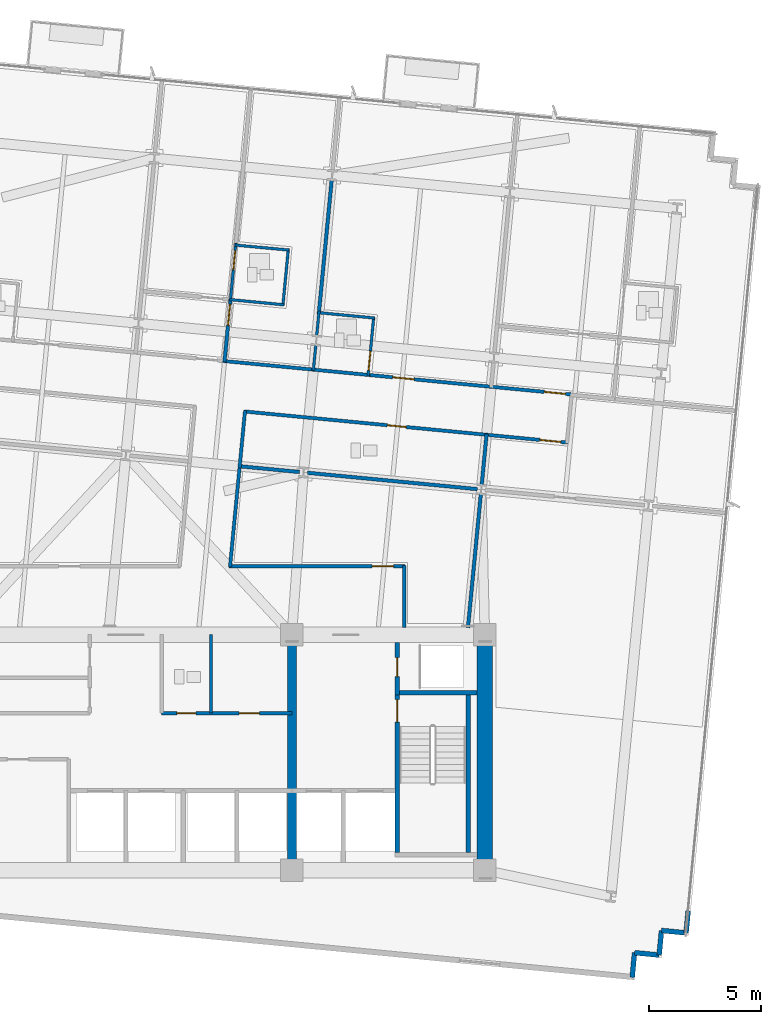
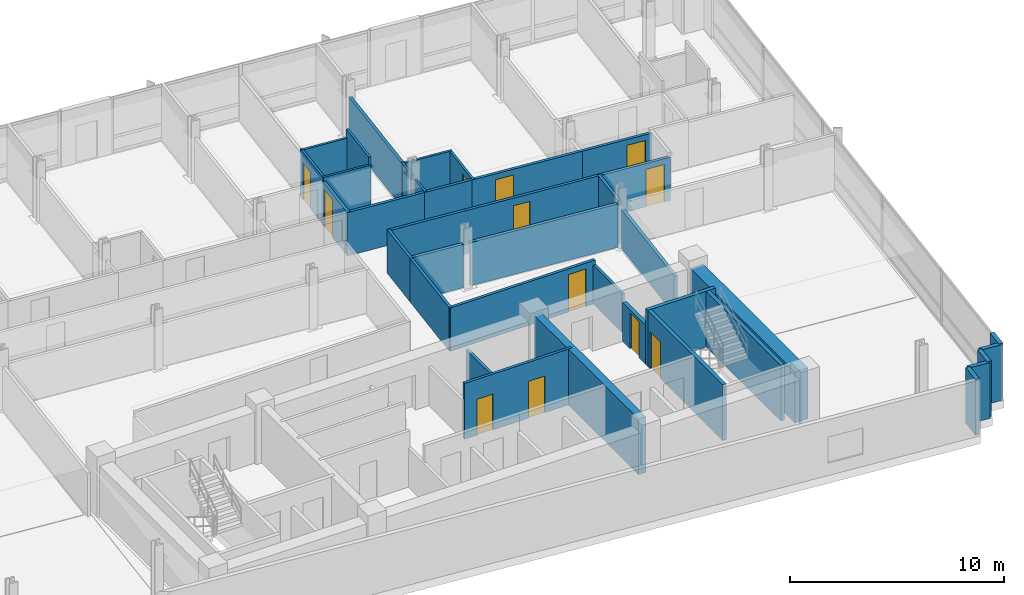
# One storey, part 12 of 18: 37 walls, 12 doors, 12 openings.
"""IFC4 building model written with IfcOpenShell, lengths in metres."""

from ifc_helpers import new_model, si_unit, direction, frame, frame_2d, origin, place, context, subcontext, project, spatial, rectangle, extrude, material, layer, layer_set, type_object, element, fill, save


model = new_model("IFC4")

# Units and contexts
model_context = context("Model", 3, precision=1e-05, world=origin(), true_north=direction((0.0, 1.0)))
body_context = subcontext(model_context, "Body", "Model", "MODEL_VIEW")
ifc_project = project(units=[si_unit("LENGTHUNIT", "METRE"), si_unit("AREAUNIT", "SQUARE_METRE"), si_unit("VOLUMEUNIT", "CUBIC_METRE"), si_unit("PLANEANGLEUNIT", "RADIAN"), si_unit("MASSUNIT", "GRAM", prefix="KILO")], contexts=[model_context])

# Site, building, storey
site_placement = place(None, origin())
site = spatial("IfcSite", under=ifc_project, at=site_placement, CompositionType="ELEMENT")
building_placement = place(site_placement, origin())
building = spatial("IfcBuilding", under=site, at=building_placement, Name="Solmavex Isthmus Hotel", CompositionType="ELEMENT")
storey_placement = place(building_placement, frame((0.0, 0.0, 135.89990234375)))
storey = spatial("IfcBuildingStorey", under=building, at=storey_placement, Name="L36", CompositionType="ELEMENT", Elevation=135.89990234375)

# Walls
ifc_material_1 = material(Name="Precast Concrete C40/50", Category="concrete")
ifc_layer_1 = layer(ifc_material_1, 0.25)
ifc_layer_set_1 = layer_set([ifc_layer_1], Name="Precast Concrete C40/50")
wall_type_1 = type_object("IfcWallType", Name="EW-TWR-250", PredefinedType="STANDARD", material=ifc_layer_set_1)
wall_1_placement = place(storey_placement, frame((25.0615234375, -14.804931640625, 0.0), z_axis=(0.0, 0.0, 1.0), x_axis=(-0.095914428506, -0.995389583231, 0.0)))
element("IfcWall", 1, at=wall_1_placement, inside=storey, type_object=wall_type_1, Name="Serrated Corner Facade Panel L36-21", PredefinedType="STANDARD", context=body_context, shape_type="SweptSolid", body=[
    extrude(rectangle(XDim=0.990234375, YDim=0.219970703125, at=frame_2d((0.4951171875, 0.0))), origin(), (0.0, 0.0, 1.0), 3.190185546875),
])
for number, where, z_axis, x_axis, name in (
    (2, (24.966552734375, -15.79052734375, 0.0), (0.0, 0.0, 1.0), (-0.995393156894, 0.095877334176, 0.0), "Serrated Corner Facade Panel L36-22"),
    (3, (23.87158203125, -15.68505859375, 0.0), (0.0, 0.0, 1.0), (-0.095877334176, -0.995393156894, 0.0), "Serrated Corner Facade Panel L36-23"),
    (4, (23.76611328125, -16.780029296875, 0.0), (0.0, 0.0, 1.0), (-0.995393156894, 0.095877334176, 0.0), "Serrated Corner Facade Panel L36-24"),
    (5, (22.671142578125, -16.674560546875, 0.0), (0.0, 0.0, 1.0), (-0.095657429048, -0.995414313875, 0.0), "Serrated Corner Facade Panel L36-25"),
):
    element("IfcWall", number, at=place(storey_placement, frame(where, z_axis=z_axis, x_axis=x_axis)), inside=storey, type_object=wall_type_1, Name=name, PredefinedType="STANDARD", context=body_context, shape_type="SweptSolid", body=[
        extrude(rectangle(XDim=1.10009765625, YDim=0.219970703125, at=frame_2d((0.550048828125, 0.0))), origin(), (0.0, 0.0, 1.0), 3.190185546875),
    ])

# Wall, opening, door
ifc_material_2 = material(Name="Gypsum plasterboard lining", Category="gypsum")
ifc_layer_2 = layer(ifc_material_2, 0.159912109375)
ifc_layer_set_2 = layer_set([ifc_layer_2], Name="Gypsum plasterboard lining")
wall_type_2 = type_object("IfcWallType", Name="IW-COMP-160", PredefinedType="PARTITIONING", material=ifc_layer_set_2)
wall_2_placement = place(storey_placement, frame((4.669189453125, 12.465087890625, 0.0), z_axis=(0.0, 0.0, 1.0), x_axis=(-0.095838972327, -0.995396851202, 0.0)))
wall_2 = element("IfcWall", 6, at=wall_2_placement, inside=storey, type_object=wall_type_2, Name="Interior Partition Wall W-L36-P043", PredefinedType="PARTITIONING", context=body_context, shape_type="SweptSolid", body=[
    extrude(rectangle(XDim=2.830078125, YDim=0.159912109375, at=frame_2d((1.4150390625, 0.0))), origin(), (0.0, 0.0, 1.0), 2.4794921875),
])
opening_1_placement = place(wall_2_placement, frame((0.2470703125, 0.0, 0.0)))
opening_1 = element("IfcOpeningElement", 7, at=opening_1_placement, cuts=wall_2, Name="Opening ID-C095", PredefinedType="OPENING", context=body_context, shape_type="SweptSolid", body=[
    extrude(rectangle(XDim=0.949951171875, YDim=2.14990234375, at=frame_2d((0.47509765625, 1.074951171875))), frame((0.0, 0.08984375, 0.0), z_axis=(0.0, -1.0, 0.0), x_axis=(1.0, 0.0, 0.0)), (0.0, 0.0, 1.0), 0.179931640625),
])
ifc_material_3 = material(Name="Hardwood timber", Category="wood")
door_type_1 = type_object("IfcDoorType", Name="IDR-FD60-0950", OperationType="NOTDEFINED", PredefinedType="DOOR", material=ifc_material_3)
door_1_placement = place(opening_1_placement, frame((0.949951171875, 0.0, 0.0), z_axis=(0.0, 0.0, 1.0), x_axis=(-1.0, 0.0, 0.0)))
door_1 = element("IfcDoor", 8, at=door_1_placement, inside=storey, type_object=door_type_1, Name="Diplomatic Suite Living Lounge Door L36-08", OperationType="SINGLE_SWING_RIGHT", OverallHeight=2.14990234375, OverallWidth=0.949951171875, PredefinedType="DOOR", context=body_context, shape_type="SweptSolid", body=[
    extrude(rectangle(XDim=0.949951171875, YDim=2.14990234375, at=frame_2d((0.47509765625, 1.074951171875))), frame((0.0, 0.02490234375, 0.0), z_axis=(0.0, -1.0, 0.0), x_axis=(1.0, 0.0, 0.0)), (0.0, 0.0, 1.0), 0.050048828125),
])
fill(opening_1, door_1)

# Walls
wall_3_placement = place(storey_placement, frame((9.178466796875, 17.791259765625, 0.0), z_axis=(0.0, 0.0, 1.0), x_axis=(-0.095826863488, -0.995398016993, 0.0)))
element("IfcWall", 9, at=wall_3_placement, inside=storey, type_object=wall_type_2, Name="Interior Partition Wall W-L36-P049", PredefinedType="PARTITIONING", context=body_context, shape_type="SweptSolid", body=[
    extrude(rectangle(XDim=6.055908203125, YDim=0.159912109375, at=frame_2d((3.02783203125, 0.0))), origin(), (0.0, 0.0, 1.0), 2.4794921875),
])
wall_4_placement = place(storey_placement, frame((16.07861328125, 6.44384765625, 0.0), z_axis=(0.0, 0.0, 1.0), x_axis=(-0.095794827695, -0.995401100555, 0.0)))
element("IfcWall", 10, at=wall_4_placement, inside=storey, type_object=wall_type_2, Name="Interior Partition Wall W-L36-P068", PredefinedType="PARTITIONING", context=body_context, shape_type="SweptSolid", body=[
    extrude(rectangle(XDim=2.314208984375, YDim=0.159912109375, at=frame_2d((1.1572265625, 0.0))), origin(), (0.0, 0.0, 1.0), 2.4794921875),
])
wall_5_placement = place(storey_placement, frame((7.745361328125, 4.74462890625, 0.0), z_axis=(0.0, 0.0, 1.0), x_axis=(-0.995392910691, 0.095879890208, 0.0)))
element("IfcWall", 11, at=wall_5_placement, inside=storey, type_object=wall_type_2, Name="Interior Partition Wall W-L36-P069", PredefinedType="PARTITIONING", context=body_context, shape_type="SweptSolid", body=[
    extrude(rectangle(XDim=2.721923828125, YDim=0.159912109375, at=frame_2d((1.36083984375, 0.0))), origin(), (0.0, 0.0, 1.0), 2.4794921875),
])
wall_6_placement = place(storey_placement, frame((15.664794921875, 3.982177734375, 0.0), z_axis=(0.0, 0.0, 1.0), x_axis=(-0.995396667246, 0.095840882902, 0.0)))
element("IfcWall", 12, at=wall_6_placement, inside=storey, type_object=wall_type_2, Name="Interior Partition Wall W-L36-P070", PredefinedType="PARTITIONING", context=body_context, shape_type="SweptSolid", body=[
    extrude(rectangle(XDim=7.603759765625, YDim=0.159912109375, at=frame_2d((3.8017578125, 0.0))), origin(), (0.0, 0.0, 1.0), 2.4794921875),
])
wall_7_placement = place(storey_placement, frame((15.8232421875, 3.7900390625, 0.0), z_axis=(0.0, 0.0, 1.0), x_axis=(-0.095865726078, -0.99539427493, 0.0)))
element("IfcWall", 13, at=wall_7_placement, inside=storey, type_object=wall_type_2, Name="Interior Partition Wall W-L36-P079", PredefinedType="PARTITIONING", context=body_context, shape_type="SweptSolid", body=[
    extrude(rectangle(XDim=6.007568359375, YDim=0.159912109375, at=frame_2d((3.00390625, 0.0))), origin(), (0.0, 0.0, 1.0), 2.22509765625),
])

# Wall, openings, doors
ifc_layer_3 = layer(ifc_material_2, 0.14990234375)
ifc_layer_set_3 = layer_set([ifc_layer_3], Name="Gypsum plasterboard lining")
wall_type_3 = type_object("IfcWallType", Name="IW-CORR-150", PredefinedType="PARTITIONING", material=ifc_layer_set_3)
wall_8_placement = place(storey_placement, frame((1.60009765625, -6.0, 0.0), z_axis=(0.0, 0.0, 1.0), x_axis=(1.0, 0.0, 0.0)))
wall_8 = element("IfcWall", 14, at=wall_8_placement, inside=storey, type_object=wall_type_3, Name="Interior Partition Wall W-L36-BOH-ES", PredefinedType="PARTITIONING", context=body_context, shape_type="SweptSolid", body=[
    extrude(rectangle(XDim=5.7998046875, YDim=0.14990234375, at=frame_2d((2.89990234375, 0.0))), origin(), (0.0, 0.0, 1.0), 3.190185546875),
])
opening_2_placement = place(wall_8_placement, frame((0.675048828125, 0.0, 0.0)))
opening_2 = element("IfcOpeningElement", 15, at=opening_2_placement, cuts=wall_8, Name="Opening ID-R085", PredefinedType="OPENING", context=body_context, shape_type="SweptSolid", body=[
    extrude(rectangle(XDim=0.85009765625, YDim=2.050048828125, at=frame_2d((0.425048828125, 1.02490234375))), frame((0.0, 0.0849609375, 0.0), z_axis=(0.0, -1.0, 0.0), x_axis=(1.0, 0.0, 0.0)), (0.0, 0.0, 1.0), 0.169921875),
])
opening_3_placement = place(wall_8_placement, frame((3.449951171875, 0.0, 0.0)))
opening_3 = element("IfcOpeningElement", 16, at=opening_3_placement, cuts=wall_8, Name="Opening ID-C090", PredefinedType="OPENING", context=body_context, shape_type="SweptSolid", body=[
    extrude(rectangle(XDim=0.89990234375, YDim=2.10009765625, at=frame_2d((0.449951171875, 1.050048828125))), frame((0.0, 0.0849609375, 0.0), z_axis=(0.0, -1.0, 0.0), x_axis=(1.0, 0.0, 0.0)), (0.0, 0.0, 1.0), 0.169921875),
])
ifc_material_4 = material(Name="Steel ASTM A500 Grade C", Category="steel")
door_type_2 = type_object("IfcDoorType", Name="IDR-FD60-0850", OperationType="NOTDEFINED", PredefinedType="DOOR", material=ifc_material_4)
door_2_placement = place(opening_2_placement, frame((0.85009765625, 0.0, 0.0), z_axis=(0.0, 0.0, 1.0), x_axis=(-1.0, 0.0, 0.0)))
door_2 = element("IfcDoor", 17, at=door_2_placement, inside=storey, type_object=door_type_2, Name="Staff WC Door L36", OperationType="SINGLE_SWING_LEFT", OverallHeight=2.050048828125, OverallWidth=0.85009765625, PredefinedType="DOOR", context=body_context, shape_type="SweptSolid", body=[
    extrude(rectangle(XDim=0.85009765625, YDim=2.050048828125, at=frame_2d((0.425048828125, 1.02490234375))), frame((0.0, 0.02490234375, 0.0), z_axis=(0.0, -1.0, 0.0), x_axis=(1.0, 0.0, 0.0)), (0.0, 0.0, 1.0), 0.050048828125),
])
fill(opening_2, door_2)
door_type_3 = type_object("IfcDoorType", Name="IDR-FD60-0900", OperationType="NOTDEFINED", PredefinedType="DOOR", material=ifc_material_3)
door_3_placement = place(opening_3_placement, frame((0.89990234375, 0.0, 0.0), z_axis=(0.0, 0.0, 1.0), x_axis=(-1.0, 0.0, 0.0)))
door_3 = element("IfcDoor", 18, at=door_3_placement, inside=storey, type_object=door_type_3, Name="Room Service Door L36", OperationType="SINGLE_SWING_RIGHT", OverallHeight=2.10009765625, OverallWidth=0.89990234375, PredefinedType="DOOR", context=body_context, shape_type="SweptSolid", body=[
    extrude(rectangle(XDim=0.89990234375, YDim=2.10009765625, at=frame_2d((0.449951171875, 1.050048828125))), frame((0.0, 0.02490234375, 0.0), z_axis=(0.0, -1.0, 0.0), x_axis=(1.0, 0.0, 0.0)), (0.0, 0.0, 1.0), 0.050048828125),
])
fill(opening_3, door_3)

# Wall
wall_9_placement = place(storey_placement, frame((4.3203125, 9.69580078125, 0.0), z_axis=(0.0, 0.0, 1.0), x_axis=(0.995396384826, -0.095843816055, 0.0)))
element("IfcWall", 19, at=wall_9_placement, inside=storey, type_object=wall_type_3, Name="Interior Partition Wall W-L36-P007", PredefinedType="PARTITIONING", context=body_context, shape_type="SweptSolid", body=[
    extrude(rectangle(XDim=4.141845703125, YDim=0.14990234375, at=frame_2d((2.07080078125, 0.0))), origin(), (0.0, 0.0, 1.0), 2.4794921875),
])

# Wall, opening, door
wall_10_placement = place(storey_placement, frame((10.71875, 9.07958984375, 0.0), z_axis=(0.0, 0.0, 1.0), x_axis=(0.995395844771, -0.095849424686, 0.0)))
wall_10 = element("IfcWall", 20, at=wall_10_placement, inside=storey, type_object=wall_type_3, Name="Interior Partition Wall W-L36-P008", PredefinedType="PARTITIONING", context=body_context, shape_type="SweptSolid", body=[
    extrude(rectangle(XDim=5.669921875, YDim=0.14990234375, at=frame_2d((2.8349609375, 0.0))), origin(), (0.0, 0.0, 1.0), 2.4794921875),
])
opening_4_placement = place(wall_10_placement, frame((1.18603515625, 0.0, 0.0)))
opening_4 = element("IfcOpeningElement", 21, at=opening_4_placement, cuts=wall_10, Name="Opening ID-C095", PredefinedType="OPENING", context=body_context, shape_type="SweptSolid", body=[
    extrude(rectangle(XDim=0.949951171875, YDim=2.14990234375, at=frame_2d((0.47509765625, 1.074951171875))), frame((0.0, 0.0849609375, 0.0), z_axis=(0.0, -1.0, 0.0), x_axis=(1.0, 0.0, 0.0)), (0.0, 0.0, 1.0), 0.169921875),
])
door_4_placement = place(opening_4_placement, frame((0.949951171875, 0.0, 0.0), z_axis=(0.0, 0.0, 1.0), x_axis=(-1.0, 0.0, 0.0)))
door_4 = element("IfcDoor", 22, at=door_4_placement, inside=storey, type_object=door_type_1, Name="Premier Suite Door L36-10", OperationType="SINGLE_SWING_RIGHT", OverallHeight=2.14990234375, OverallWidth=0.949951171875, PredefinedType="DOOR", context=body_context, shape_type="SweptSolid", body=[
    extrude(rectangle(XDim=0.949951171875, YDim=2.14990234375, at=frame_2d((0.47509765625, 1.074951171875))), frame((0.0, 0.02490234375, 0.0), z_axis=(0.0, -1.0, 0.0), x_axis=(1.0, 0.0, 0.0)), (0.0, 0.0, 1.0), 0.050048828125),
])
fill(opening_4, door_4)

# Wall
wall_11_placement = place(storey_placement, frame((8.280029296875, 9.314453125, 0.0), z_axis=(0.0, 0.0, 1.0), x_axis=(0.995397556197, -0.095831649869, 0.0)))
element("IfcWall", 23, at=wall_11_placement, inside=storey, type_object=wall_type_3, Name="Interior Partition Wall W-L36-P009", PredefinedType="PARTITIONING", context=body_context, shape_type="SweptSolid", body=[
    extrude(rectangle(XDim=2.61376953125, YDim=0.14990234375, at=frame_2d((1.306884765625, 0.0))), origin(), (0.0, 0.0, 1.0), 2.4794921875),
])

# Wall, opening, door
wall_12_placement = place(storey_placement, frame((16.19921875, 8.552001953125, 0.0), z_axis=(0.0, 0.0, 1.0), x_axis=(0.995391104887, -0.095898635608, 0.0)))
wall_12 = element("IfcWall", 24, at=wall_12_placement, inside=storey, type_object=wall_type_3, Name="Interior Partition Wall W-L36-P010", PredefinedType="PARTITIONING", context=body_context, shape_type="SweptSolid", body=[
    extrude(rectangle(XDim=3.721923828125, YDim=0.14990234375, at=frame_2d((1.86083984375, 0.0))), origin(), (0.0, 0.0, 1.0), 2.4794921875),
])
opening_5_placement = place(wall_12_placement, frame((2.456787109375, 0.0, 0.0)))
opening_5 = element("IfcOpeningElement", 25, at=opening_5_placement, cuts=wall_12, Name="Opening ID-C095", PredefinedType="OPENING", context=body_context, shape_type="SweptSolid", body=[
    extrude(rectangle(XDim=0.949951171875, YDim=2.14990234375, at=frame_2d((0.47509765625, 1.074951171875))), frame((0.0, 0.0849609375, 0.0), z_axis=(0.0, -1.0, 0.0), x_axis=(1.0, 0.0, 0.0)), (0.0, 0.0, 1.0), 0.169921875),
])
door_5_placement = place(opening_5_placement, frame((0.949951171875, 0.0, 0.0), z_axis=(0.0, 0.0, 1.0), x_axis=(-1.0, 0.0, 0.0)))
door_5 = element("IfcDoor", 26, at=door_5_placement, inside=storey, type_object=door_type_1, Name="Premier Hospitality Suite Entrance Hall Door L36-12", OperationType="SINGLE_SWING_RIGHT", OverallHeight=2.14990234375, OverallWidth=0.949951171875, PredefinedType="DOOR", context=body_context, shape_type="SweptSolid", body=[
    extrude(rectangle(XDim=0.949951171875, YDim=2.14990234375, at=frame_2d((0.47509765625, 1.074951171875))), frame((0.0, 0.02490234375, 0.0), z_axis=(0.0, -1.0, 0.0), x_axis=(1.0, 0.0, 0.0)), (0.0, 0.0, 1.0), 0.050048828125),
])
fill(opening_5, door_5)

wall_13_placement = place(storey_placement, frame((16.156494140625, 6.39599609375, 0.0), z_axis=(0.0, 0.0, 1.0), x_axis=(-0.99539478422, 0.095860437863, 0.0)))
wall_13 = element("IfcWall", 27, at=wall_13_placement, inside=storey, type_object=wall_type_3, Name="Interior Partition Wall W-L36-P011", PredefinedType="PARTITIONING", context=body_context, shape_type="SweptSolid", body=[
    extrude(rectangle(XDim=10.93603515625, YDim=0.14990234375, at=frame_2d((5.468017578125, 0.0))), origin(), (0.0, 0.0, 1.0), 2.4794921875),
])
opening_6_placement = place(wall_13_placement, frame((3.675048828125, 0.0, 0.0)))
opening_6 = element("IfcOpeningElement", 28, at=opening_6_placement, cuts=wall_13, Name="Opening ID-R085", PredefinedType="OPENING", context=body_context, shape_type="SweptSolid", body=[
    extrude(rectangle(XDim=0.85009765625, YDim=2.050048828125, at=frame_2d((0.425048828125, 1.02490234375))), frame((0.0, 0.0849609375, 0.0), z_axis=(0.0, -1.0, 0.0), x_axis=(1.0, 0.0, 0.0)), (0.0, 0.0, 1.0), 0.169921875),
])
door_6_placement = place(opening_6_placement, frame((0.85009765625, 0.0, 0.0), z_axis=(0.0, 0.0, 1.0), x_axis=(-1.0, 0.0, 0.0)))
door_6 = element("IfcDoor", 29, at=door_6_placement, inside=storey, type_object=door_type_2, Name="Accessible Public Restroom WC Door L36-16", OperationType="SINGLE_SWING_RIGHT", OverallHeight=2.050048828125, OverallWidth=0.85009765625, PredefinedType="DOOR", context=body_context, shape_type="SweptSolid", body=[
    extrude(rectangle(XDim=0.85009765625, YDim=2.050048828125, at=frame_2d((0.425048828125, 1.02490234375))), frame((0.0, 0.02490234375, 0.0), z_axis=(0.0, -1.0, 0.0), x_axis=(1.0, 0.0, 0.0)), (0.0, 0.0, 1.0), 0.050048828125),
])
fill(opening_6, door_6)

# Wall
wall_14_placement = place(storey_placement, frame((5.314453125, 7.480224609375, 0.0), z_axis=(0.0, 0.0, 1.0), x_axis=(-0.09587519517, -0.995393362923, 0.0)))
element("IfcWall", 30, at=wall_14_placement, inside=storey, type_object=wall_type_3, Name="Interior Partition Wall W-L36-P012", PredefinedType="PARTITIONING", context=body_context, shape_type="SweptSolid", body=[
    extrude(rectangle(XDim=2.572021484375, YDim=0.14990234375, at=frame_2d((1.2861328125, 0.0))), origin(), (0.0, 0.0, 1.0), 2.4794921875),
])

# Wall, opening, door
wall_15_placement = place(storey_placement, frame((19.697998046875, 6.05517578125, 0.0), z_axis=(0.0, 0.0, 1.0), x_axis=(-0.995397364202, 0.095833644092, 0.0)))
wall_15 = element("IfcWall", 31, at=wall_15_placement, inside=storey, type_object=wall_type_3, Name="Interior Partition Wall W-L36-P016", PredefinedType="PARTITIONING", context=body_context, shape_type="SweptSolid", body=[
    extrude(rectangle(XDim=3.721923828125, YDim=0.14990234375, at=frame_2d((1.86083984375, 0.0))), origin(), (0.0, 0.0, 1.0), 2.4794921875),
])
opening_7_placement = place(wall_15_placement, frame((0.315185546875, 0.0, 0.0)))
opening_7 = element("IfcOpeningElement", 32, at=opening_7_placement, cuts=wall_15, Name="Opening ID-C095", PredefinedType="OPENING", context=body_context, shape_type="SweptSolid", body=[
    extrude(rectangle(XDim=0.949951171875, YDim=2.14990234375, at=frame_2d((0.47509765625, 1.074951171875))), frame((0.0, 0.0849609375, 0.0), z_axis=(0.0, -1.0, 0.0), x_axis=(1.0, 0.0, 0.0)), (0.0, 0.0, 1.0), 0.169921875),
])
door_7_placement = place(opening_7_placement, frame((0.949951171875, 0.0, 0.0), z_axis=(0.0, 0.0, 1.0), x_axis=(-1.0, 0.0, 0.0)))
door_7 = element("IfcDoor", 33, at=door_7_placement, inside=storey, type_object=door_type_1, Name="Executive Meeting Room Door L36-18", OperationType="SINGLE_SWING_RIGHT", OverallHeight=2.14990234375, OverallWidth=0.949951171875, PredefinedType="DOOR", context=body_context, shape_type="SweptSolid", body=[
    extrude(rectangle(XDim=0.949951171875, YDim=2.14990234375, at=frame_2d((0.47509765625, 1.074951171875))), frame((0.0, 0.02490234375, 0.0), z_axis=(0.0, -1.0, 0.0), x_axis=(1.0, 0.0, 0.0)), (0.0, 0.0, 1.0), 0.050048828125),
])
fill(opening_7, door_7)

# Wall
wall_16_placement = place(storey_placement, frame((5.083740234375, 5.083251953125, 0.0), z_axis=(0.0, 0.0, 1.0), x_axis=(-0.095867331855, -0.995394120277, 0.0)))
element("IfcWall", 34, at=wall_16_placement, inside=storey, type_object=wall_type_3, Name="Interior Partition Wall W-L36-P019", PredefinedType="PARTITIONING", context=body_context, shape_type="SweptSolid", body=[
    extrude(rectangle(XDim=4.59423828125, YDim=0.14990234375, at=frame_2d((2.297119140625, 0.0))), origin(), (0.0, 0.0, 1.0), 2.4794921875),
])

# Wall, opening, door
wall_17_placement = place(storey_placement, frame((4.607177734375, 0.550048828125, 0.0), z_axis=(0.0, 0.0, 1.0), x_axis=(1.0, 0.0, 0.0)))
wall_17 = element("IfcWall", 35, at=wall_17_placement, inside=storey, type_object=wall_type_3, Name="Interior Partition Wall W-L36-P020", PredefinedType="PARTITIONING", context=body_context, shape_type="SweptSolid", body=[
    extrude(rectangle(XDim=7.832763671875, YDim=0.14990234375, at=frame_2d((3.91650390625, 0.0))), origin(), (0.0, 0.0, 1.0), 2.4794921875),
])
opening_8_placement = place(wall_17_placement, frame((6.3720703125, 0.0, 0.0)))
opening_8 = element("IfcOpeningElement", 36, at=opening_8_placement, cuts=wall_17, Name="Opening ID-C095", PredefinedType="OPENING", context=body_context, shape_type="SweptSolid", body=[
    extrude(rectangle(XDim=0.949951171875, YDim=2.14990234375, at=frame_2d((0.47509765625, 1.074951171875))), frame((0.0, 0.0849609375, 0.0), z_axis=(0.0, -1.0, 0.0), x_axis=(1.0, 0.0, 0.0)), (0.0, 0.0, 1.0), 0.169921875),
])
door_8_placement = place(opening_8_placement, origin())
door_8 = element("IfcDoor", 37, at=door_8_placement, inside=storey, type_object=door_type_1, Name="Executive Meeting Room Door L36-20", OperationType="SINGLE_SWING_RIGHT", OverallHeight=2.14990234375, OverallWidth=0.949951171875, PredefinedType="DOOR", context=body_context, shape_type="SweptSolid", body=[
    extrude(rectangle(XDim=0.949951171875, YDim=2.14990234375, at=frame_2d((0.47509765625, 1.074951171875))), frame((0.0, 0.02490234375, 0.0), z_axis=(0.0, -1.0, 0.0), x_axis=(1.0, 0.0, 0.0)), (0.0, 0.0, 1.0), 0.050048828125),
])
fill(opening_8, door_8)

# Walls
wall_18_placement = place(storey_placement, frame((12.39990234375, 0.590087890625, 0.0), z_axis=(0.0, 0.0, 1.0), x_axis=(0.0, -1.0, 0.0)))
element("IfcWall", 38, at=wall_18_placement, inside=storey, type_object=wall_type_3, Name="Interior Partition Wall W-L36-P021", PredefinedType="PARTITIONING", context=body_context, shape_type="SweptSolid", body=[
    extrude(rectangle(XDim=2.780029296875, YDim=0.14990234375, at=frame_2d((1.39013671875, 0.0))), origin(), (0.0, 0.0, 1.0), 2.22509765625),
])
ifc_layer_4 = layer(ifc_material_2, 0.1201171875)
ifc_layer_set_4 = layer_set([ifc_layer_4], Name="Gypsum plasterboard lining")
wall_type_4 = type_object("IfcWallType", Name="IW-PART-120", PredefinedType="PARTITIONING", material=ifc_layer_set_4)
wall_19_placement = place(storey_placement, frame((3.800048828125, -6.0, 0.0), z_axis=(0.0, 0.0, 1.0), x_axis=(0.0, 1.0, 0.0)))
element("IfcWall", 39, at=wall_19_placement, inside=storey, type_object=wall_type_4, Name="Interior Partition Wall W-L36-BOH-EM3", PredefinedType="PARTITIONING", context=body_context, shape_type="SweptSolid", body=[
    extrude(rectangle(XDim=3.5, YDim=0.14990234375, at=frame_2d((1.75, 0.0))), origin(), (0.0, 0.0, 1.0), 2.22509765625),
])

# Wall, opening, door
wall_20_placement = place(storey_placement, frame((4.908203125, 14.945556640625, 0.0), z_axis=(0.0, 0.0, 1.0), x_axis=(-0.09587519517, -0.995393362923, 0.0)))
wall_20 = element("IfcWall", 40, at=wall_20_placement, inside=storey, type_object=wall_type_4, Name="Interior Partition Wall W-L36-P045", PredefinedType="PARTITIONING", context=body_context, shape_type="SweptSolid", body=[
    extrude(rectangle(XDim=2.572021484375, YDim=0.1201171875, at=frame_2d((1.2861328125, 0.0))), origin(), (0.0, 0.0, 1.0), 2.71826171875),
])
opening_9_placement = place(wall_20_placement, frame((0.337646484375, 0.0, 0.0)))
opening_9 = element("IfcOpeningElement", 41, at=opening_9_placement, cuts=wall_20, Name="Opening ID-U085", PredefinedType="OPENING", context=body_context, shape_type="SweptSolid", body=[
    extrude(rectangle(XDim=0.85009765625, YDim=2.10009765625, at=frame_2d((0.425048828125, 1.050048828125))), frame((0.0, 0.070068359375, 0.0), z_axis=(0.0, -1.0, 0.0), x_axis=(1.0, 0.0, 0.0)), (0.0, 0.0, 1.0), 0.14013671875),
])
door_type_4 = type_object("IfcDoorType", Name="IDR-UNR-0850", OperationType="NOTDEFINED", PredefinedType="DOOR", material=ifc_material_3)
door_9_placement = place(opening_9_placement, frame((0.85009765625, 0.0, 0.0), z_axis=(0.0, 0.0, 1.0), x_axis=(-1.0, 0.0, 0.0)))
door_9 = element("IfcDoor", 42, at=door_9_placement, inside=storey, type_object=door_type_4, Name="En-suite Bathroom Door L36-09", OperationType="SINGLE_SWING_LEFT", OverallHeight=2.10009765625, OverallWidth=0.85009765625, PredefinedType="DOOR", context=body_context, shape_type="SweptSolid", body=[
    extrude(rectangle(XDim=0.85009765625, YDim=2.10009765625, at=frame_2d((0.425048828125, 1.050048828125))), frame((0.0, 0.02490234375, 0.0), z_axis=(0.0, -1.0, 0.0), x_axis=(1.0, 0.0, 0.0)), (0.0, 0.0, 1.0), 0.050048828125),
])
fill(opening_9, door_9)

# Walls
wall_21_placement = place(storey_placement, frame((4.62548828125, 12.428955078125, 0.0), z_axis=(0.0, 0.0, 1.0), x_axis=(0.995396504014, -0.095842578202, 0.0)))
element("IfcWall", 43, at=wall_21_placement, inside=storey, type_object=wall_type_4, Name="Interior Partition Wall W-L36-P046", PredefinedType="PARTITIONING", context=body_context, shape_type="SweptSolid", body=[
    extrude(rectangle(XDim=2.43017578125, YDim=0.1201171875, at=frame_2d((1.215087890625, 0.0))), origin(), (0.0, 0.0, 1.0), 2.71826171875),
])
wall_22_placement = place(storey_placement, frame((7.000732421875, 12.16015625, 0.0), z_axis=(0.0, 0.0, 1.0), x_axis=(0.095824571015, 0.995398237687, 0.0)))
element("IfcWall", 44, at=wall_22_placement, inside=storey, type_object=wall_type_4, Name="Interior Partition Wall W-L36-P047", PredefinedType="PARTITIONING", context=body_context, shape_type="SweptSolid", body=[
    extrude(rectangle(XDim=2.530029296875, YDim=0.1201171875, at=frame_2d((1.26513671875, 0.0))), origin(), (0.0, 0.0, 1.0), 3.190185546875),
])
wall_23_placement = place(storey_placement, frame((7.279296875, 14.635009765625, 0.0), z_axis=(0.0, 0.0, 1.0), x_axis=(-0.995793796751, 0.091622673793, 0.0)))
element("IfcWall", 45, at=wall_23_placement, inside=storey, type_object=wall_type_4, Name="Interior Partition Wall W-L36-P048", PredefinedType="PARTITIONING", context=body_context, shape_type="SweptSolid", body=[
    extrude(rectangle(XDim=2.43017578125, YDim=0.1201171875, at=frame_2d((1.215087890625, 0.0))), origin(), (0.0, 0.0, 1.0), 2.71826171875),
])
wall_24_placement = place(storey_placement, frame((8.469970703125, 10.433349609375, 0.0), z_axis=(0.0, 0.0, 1.0), x_axis=(-0.095831494917, -0.995397571115, 0.0)))
element("IfcWall", 46, at=wall_24_placement, inside=storey, type_object=wall_type_4, Name="Interior Partition Wall W-L36-P051", PredefinedType="PARTITIONING", context=body_context, shape_type="SweptSolid", body=[
    extrude(rectangle(XDim=1.171875, YDim=0.1201171875, at=frame_2d((0.5859375, 0.0))), origin(), (0.0, 0.0, 1.0), 2.4794921875),
])
wall_25_placement = place(storey_placement, frame((8.61376953125, 11.926513671875, 0.0), z_axis=(0.0, 0.0, 1.0), x_axis=(-0.09590284245, -0.99539069958, 0.0)))
element("IfcWall", 47, at=wall_25_placement, inside=storey, type_object=wall_type_4, Name="Interior Partition Wall W-L36-P052", PredefinedType="PARTITIONING", context=body_context, shape_type="SweptSolid", body=[
    extrude(rectangle(XDim=1.148193359375, YDim=0.1201171875, at=frame_2d((0.57421875, 0.0))), origin(), (0.0, 0.0, 1.0), 2.4794921875),
])

# Wall, opening, door
wall_26_placement = place(storey_placement, frame((10.79638671875, 9.031982421875, 0.0), z_axis=(0.0, 0.0, 1.0), x_axis=(0.095891053428, 0.995391835345, 0.0)))
wall_26 = element("IfcWall", 48, at=wall_26_placement, inside=storey, type_object=wall_type_4, Name="Interior Partition Wall W-L36-P053", PredefinedType="PARTITIONING", context=body_context, shape_type="SweptSolid", body=[
    extrude(rectangle(XDim=2.630126953125, YDim=0.1201171875, at=frame_2d((1.31494140625, 0.0))), origin(), (0.0, 0.0, 1.0), 2.4794921875),
])
opening_10_placement = place(wall_26_placement, frame((0.247314453125, 0.0, 0.0)))
opening_10 = element("IfcOpeningElement", 49, at=opening_10_placement, cuts=wall_26, Name="Opening ID-U085", PredefinedType="OPENING", context=body_context, shape_type="SweptSolid", body=[
    extrude(rectangle(XDim=0.85009765625, YDim=2.10009765625, at=frame_2d((0.425048828125, 1.050048828125))), frame((0.0, 0.070068359375, 0.0), z_axis=(0.0, -1.0, 0.0), x_axis=(1.0, 0.0, 0.0)), (0.0, 0.0, 1.0), 0.14013671875),
])
door_10_placement = place(opening_10_placement, frame((0.85009765625, 0.0, 0.0), z_axis=(0.0, 0.0, 1.0), x_axis=(-1.0, 0.0, 0.0)))
door_10 = element("IfcDoor", 50, at=door_10_placement, inside=storey, type_object=door_type_4, Name="En-suite Bathroom Door L36-11", OperationType="SINGLE_SWING_LEFT", OverallHeight=2.10009765625, OverallWidth=0.85009765625, PredefinedType="DOOR", context=body_context, shape_type="SweptSolid", body=[
    extrude(rectangle(XDim=0.85009765625, YDim=2.10009765625, at=frame_2d((0.425048828125, 1.050048828125))), frame((0.0, 0.02490234375, 0.0), z_axis=(0.0, -1.0, 0.0), x_axis=(1.0, 0.0, 0.0)), (0.0, 0.0, 1.0), 0.050048828125),
])
fill(opening_10, door_10)

# Wall
wall_27_placement = place(storey_placement, frame((11.08447265625, 11.606201171875, 0.0), z_axis=(0.0, 0.0, 1.0), x_axis=(-0.995398237687, 0.095824571015, 0.0)))
element("IfcWall", 51, at=wall_27_placement, inside=storey, type_object=wall_type_4, Name="Interior Partition Wall W-L36-P054", PredefinedType="PARTITIONING", context=body_context, shape_type="SweptSolid", body=[
    extrude(rectangle(XDim=2.530029296875, YDim=0.1201171875, at=frame_2d((1.26513671875, 0.0))), origin(), (0.0, 0.0, 1.0), 2.4794921875),
])

# Wall, opening, door
ifc_material_5 = material(Name="Concrete C40/50", Category="concrete")
ifc_layer_5 = layer(ifc_material_5, 0.199951171875)
ifc_layer_set_5 = layer_set([ifc_layer_5], Name="Concrete C40/50")
wall_type_5 = type_object("IfcWallType", Name="IW-SHAFT-200", PredefinedType="PARTITIONING", material=ifc_layer_set_5)
wall_28_placement = place(storey_placement, frame((12.10009765625, -5.199951171875, 0.0), z_axis=(0.0, 0.0, 1.0), x_axis=(0.0, 1.0, 0.0)))
wall_28 = element("IfcWall", 52, at=wall_28_placement, inside=storey, type_object=wall_type_5, Name="Interior Partition Wall W-L36-RSE-W", PredefinedType="PARTITIONING", context=body_context, shape_type="SweptSolid", body=[
    extrude(rectangle(XDim=2.349853515625, YDim=0.199951171875, at=frame_2d((1.1748046875, 0.0))), origin(), (0.0, 0.0, 1.0), 2.22509765625),
])
opening_11_placement = place(wall_28_placement, frame((0.824951171875, 0.0, 0.0)))
opening_11 = element("IfcOpeningElement", 53, at=opening_11_placement, cuts=wall_28, Name="Opening ID-R085", PredefinedType="OPENING", context=body_context, shape_type="SweptSolid", body=[
    extrude(rectangle(XDim=0.85009765625, YDim=2.050048828125, at=frame_2d((0.425048828125, 1.02490234375))), frame((0.0, 0.10986328125, 0.0), z_axis=(0.0, -1.0, 0.0), x_axis=(1.0, 0.0, 0.0)), (0.0, 0.0, 1.0), 0.219970703125),
])
door_11_placement = place(opening_11_placement, frame((0.85009765625, 0.0, 0.0), z_axis=(0.0, 0.0, 1.0), x_axis=(-1.0, 0.0, 0.0)))
door_11 = element("IfcDoor", 54, at=door_11_placement, inside=storey, type_object=door_type_2, Name="Mechanical Riser Door L36", OperationType="SINGLE_SWING_LEFT", OverallHeight=2.050048828125, OverallWidth=0.85009765625, PredefinedType="DOOR", context=body_context, shape_type="SweptSolid", body=[
    extrude(rectangle(XDim=0.85009765625, YDim=2.050048828125, at=frame_2d((0.425048828125, 1.02490234375))), frame((0.0, 0.02490234375, 0.0), z_axis=(0.0, -1.0, 0.0), x_axis=(1.0, 0.0, 0.0)), (0.0, 0.0, 1.0), 0.050048828125),
])
fill(opening_11, door_11)

# Walls
ifc_material_6 = material(Name="Concrete C60/75", Category="concrete")
ifc_layer_6 = layer(ifc_material_6, 0.39990234375)
ifc_layer_set_6 = layer_set([ifc_layer_6], Name="Concrete C60/75")
wall_type_6 = type_object("IfcWallType", Name="WALL-CW-400M", PredefinedType="SHEAR", material=ifc_layer_set_6)
wall_29_placement = place(storey_placement, frame((7.39990234375, -12.64990234375, 0.0), z_axis=(0.0, 0.0, 1.0), x_axis=(0.0, 1.0, 0.0)))
element("IfcWall", 55, at=wall_29_placement, inside=storey, type_object=wall_type_6, Name="Core Cross Shear Wall C2 L36", PredefinedType="SHEAR", context=body_context, shape_type="SweptSolid", body=[
    extrude(rectangle(XDim=9.7998046875, YDim=0.39990234375, at=frame_2d((4.89990234375, 0.0))), origin(), (0.0, 0.0, 1.0), 3.190185546875),
])
ifc_layer_7 = layer(ifc_material_6, 0.699951171875)
ifc_layer_set_7 = layer_set([ifc_layer_7], Name="Concrete C60/75")
wall_type_7 = type_object("IfcWallType", Name="WALL-CW-700", PredefinedType="SHEAR", material=ifc_layer_set_7)
wall_30_placement = place(storey_placement, frame((16.0, -12.64990234375, 0.0), z_axis=(0.0, 0.0, 1.0), x_axis=(0.0, 1.0, 0.0)))
element("IfcWall", 56, at=wall_30_placement, inside=storey, type_object=wall_type_7, Name="Core Shear Wall East L36", PredefinedType="SHEAR", context=body_context, shape_type="SweptSolid", body=[
    extrude(rectangle(XDim=9.7998046875, YDim=0.699951171875, at=frame_2d((4.89990234375, 0.0))), origin(), (0.0, 0.0, 1.0), 2.91015625),
])
ifc_layer_8 = layer(ifc_material_5, 0.199951171875)
ifc_layer_set_8 = layer_set([ifc_layer_8], Name="Concrete C40/50")
wall_type_8 = type_object("IfcWallType", Name="WALL-SW-200", PredefinedType="SOLIDWALL", material=ifc_layer_set_8)
wall_31_placement = place(storey_placement, frame((12.0, -5.10009765625, 0.0), z_axis=(0.0, 0.0, 1.0), x_axis=(1.0, 0.0, 0.0)))
element("IfcWall", 57, at=wall_31_placement, inside=storey, type_object=wall_type_8, Name="Stairwell Structural Wall SW-L36-ST2-N", PredefinedType="SOLIDWALL", context=body_context, shape_type="SweptSolid", body=[
    extrude(rectangle(XDim=3.64990234375, YDim=0.199951171875, at=frame_2d((1.824951171875, 0.0))), origin(), (0.0, 0.0, 1.0), 3.190185546875),
])

# Wall, opening, door
wall_32_placement = place(storey_placement, frame((12.10009765625, -12.199951171875, 0.0), z_axis=(0.0, 0.0, 1.0), x_axis=(0.0, 1.0, 0.0)))
wall_32 = element("IfcWall", 58, at=wall_32_placement, inside=storey, type_object=wall_type_8, Name="Stairwell Structural Wall SW-L36-ST2-W", PredefinedType="SOLIDWALL", context=body_context, shape_type="SweptSolid", body=[
    extrude(rectangle(XDim=7.0, YDim=0.199951171875, at=frame_2d((3.5, 0.0))), origin(), (0.0, 0.0, 1.0), 3.190185546875),
])
opening_12_placement = place(wall_32_placement, frame((5.800048828125, 0.0, 0.0)))
opening_12 = element("IfcOpeningElement", 59, at=opening_12_placement, cuts=wall_32, Name="Opening ID-F100", PredefinedType="OPENING", context=body_context, shape_type="SweptSolid", body=[
    extrude(rectangle(XDim=1.0, YDim=2.10009765625, at=frame_2d((0.5, 1.050048828125))), frame((0.0, 0.10986328125, 0.0), z_axis=(0.0, -1.0, 0.0), x_axis=(1.0, 0.0, 0.0)), (0.0, 0.0, 1.0), 0.219970703125),
])
door_type_5 = type_object("IfcDoorType", Name="IDR-FD90-1000", OperationType="NOTDEFINED", PredefinedType="DOOR", material=ifc_material_4)
door_12_placement = place(opening_12_placement, origin())
door_12 = element("IfcDoor", 60, at=door_12_placement, inside=storey, type_object=door_type_5, Name="Stair ST-2 Fire Door L36", OperationType="SINGLE_SWING_RIGHT", OverallHeight=2.10009765625, OverallWidth=1.0, PredefinedType="DOOR", context=body_context, shape_type="SweptSolid", body=[
    extrude(rectangle(XDim=1.0, YDim=2.10009765625, at=frame_2d((0.5, 1.050048828125))), frame((0.0, 0.02490234375, 0.0), z_axis=(0.0, -1.0, 0.0), x_axis=(1.0, 0.0, 0.0)), (0.0, 0.0, 1.0), 0.050048828125),
])
fill(opening_12, door_12)

# Wall
wall_33_placement = place(storey_placement, frame((15.25, -12.199951171875, 0.0), z_axis=(0.0, 0.0, 1.0), x_axis=(0.0, 1.0, 0.0)))
element("IfcWall", 61, at=wall_33_placement, inside=storey, type_object=wall_type_8, Name="Stairwell Structural Wall SW-L36-ST2-E", PredefinedType="SOLIDWALL", context=body_context, shape_type="SweptSolid", body=[
    extrude(rectangle(XDim=7.0, YDim=0.199951171875, at=frame_2d((3.5, 0.0))), origin(), (0.0, 0.0, 1.0), 3.190185546875),
])

save(model, "model.ifc")
